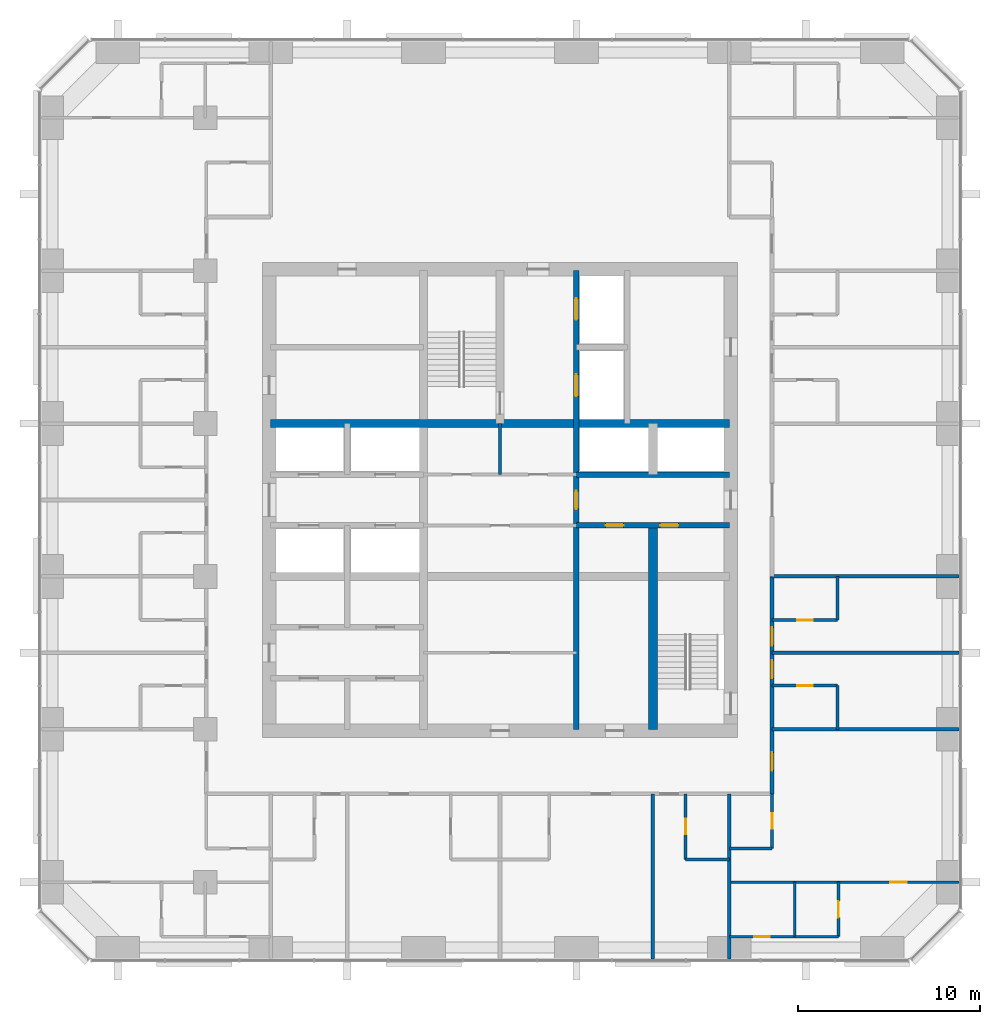
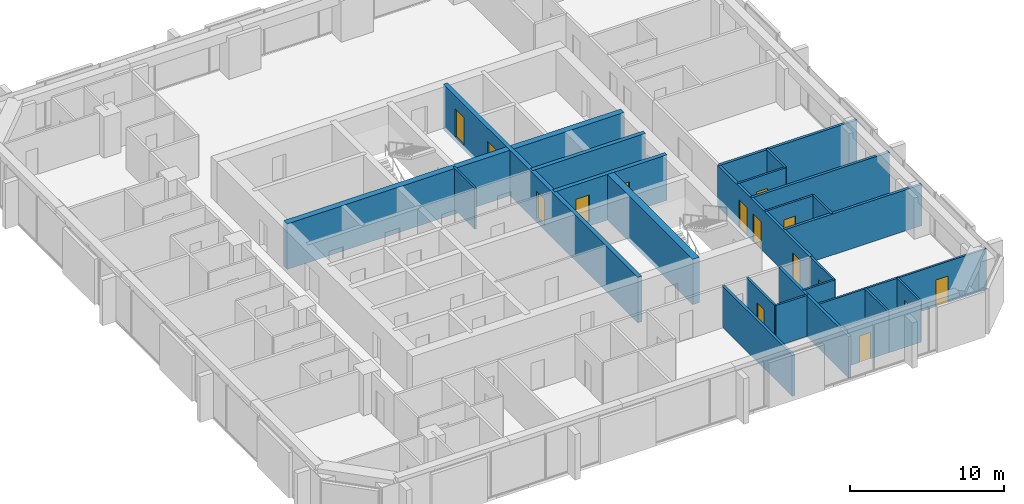
# One storey, part 10 of 13: 25 walls, 15 doors, 15 openings.
"""IFC4 building model written with IfcOpenShell, lengths in metres."""

from ifc_helpers import new_model, si_unit, direction, frame, frame_2d, origin, place, context, subcontext, project, spatial, rectangle, extrude, material, layer, layer_set, type_object, element, fill, save


model = new_model("IFC4")

# Units and contexts
model_context = context("Model", 3, precision=1e-05, world=origin(), true_north=direction((0.0, 1.0)))
body_context = subcontext(model_context, "Body", "Model", "MODEL_VIEW")
ifc_project = project(units=[si_unit("LENGTHUNIT", "METRE"), si_unit("AREAUNIT", "SQUARE_METRE"), si_unit("VOLUMEUNIT", "CUBIC_METRE"), si_unit("PLANEANGLEUNIT", "RADIAN"), si_unit("MASSUNIT", "GRAM", prefix="KILO")], contexts=[model_context])

# Site, building, storey
site_placement = place(None, origin())
site = spatial("IfcSite", under=ifc_project, at=site_placement, CompositionType="ELEMENT")
building_placement = place(site_placement, origin())
building = spatial("IfcBuilding", under=site, at=building_placement, Name="Dunama Terrace Hotel", CompositionType="ELEMENT")
storey_placement = place(building_placement, frame((0.0, 0.0, 173.39990234375)))
storey = spatial("IfcBuildingStorey", under=building, at=storey_placement, Name="L44", CompositionType="ELEMENT", Elevation=173.39990234375)

# Wall, opening, door
ifc_material_1 = material(Name="Gypsum board partition", Category="masonry")
ifc_layer_1 = layer(ifc_material_1, 0.14990234375)
ifc_layer_set_1 = layer_set([ifc_layer_1], Name="Bathroom partition 150")
wall_type_1 = type_object("IfcWallType", Name="Bathroom partition 150", PredefinedType="PARTITIONING", material=ifc_layer_set_1)
wall_1_placement = place(storey_placement, frame((39.60009765625, 9.64990234375, 0.0), z_axis=(0.0, 0.0, 1.0), x_axis=(0.0, 1.0, 0.0)))
wall_1 = element("IfcWall", 1, at=wall_1_placement, inside=storey, type_object=wall_type_1, Name="Bathroom partition 150 L44", PredefinedType="PARTITIONING", context=body_context, shape_type="SweptSolid", body=[
    extrude(rectangle(XDim=3.60009765625, YDim=0.14990234375, at=frame_2d((1.800048828125, 0.0))), origin(), (0.0, 0.0, 1.0), 3.25),
])
opening_1_placement = place(wall_1_placement, frame((1.375, 0.0, 0.0)))
opening_1 = element("IfcOpeningElement", 2, at=opening_1_placement, cuts=wall_1, Name="Opening L42-44-016", PredefinedType="OPENING", context=body_context, shape_type="SweptSolid", body=[
    extrude(rectangle(XDim=0.85009765625, YDim=2.10009765625, at=frame_2d((0.425048828125, 1.050048828125))), frame((0.0, 0.0849609375, 0.0), z_axis=(0.0, -1.0, 0.0), x_axis=(1.0, 0.0, 0.0)), (0.0, 0.0, 1.0), 0.169921875),
])
ifc_material_2 = material(Name="Timber door with steel frame", Category="steel")
door_type_1 = type_object("IfcDoorType", Name="Bathroom door 850", OperationType="SINGLE_SWING_LEFT", PredefinedType="DOOR", material=ifc_material_2)
door_1_placement = place(opening_1_placement, frame((0.85009765625, 0.0, 0.0), z_axis=(0.0, 0.0, 1.0), x_axis=(-1.0, 0.0, 0.0)))
door_1 = element("IfcDoor", 3, at=door_1_placement, inside=storey, type_object=door_type_1, Name="Door to en-suite bathroom L42-44-016, type D2", OperationType="SINGLE_SWING_LEFT", OverallHeight=2.10009765625, OverallWidth=0.85009765625, PredefinedType="DOOR", context=body_context, shape_type="SweptSolid", body=[
    extrude(rectangle(XDim=0.85009765625, YDim=2.10009765625, at=frame_2d((0.425048828125, 1.050048828125))), frame((0.0, 0.025146484375, 0.0), z_axis=(0.0, -1.0, 0.0), x_axis=(1.0, 0.0, 0.0)), (0.0, 0.0, 1.0), 0.050048828125),
])
fill(opening_1, door_1)

wall_2_placement = place(storey_placement, frame((44.35009765625, 10.25, 0.0), z_axis=(0.0, 0.0, 1.0), x_axis=(0.0, 1.0, 0.0)))
wall_2 = element("IfcWall", 4, at=wall_2_placement, inside=storey, type_object=wall_type_1, Name="Bathroom partition 150 L44", PredefinedType="PARTITIONING", context=body_context, shape_type="SweptSolid", body=[
    extrude(rectangle(XDim=3.0, YDim=0.14990234375, at=frame_2d((1.5, 0.0))), origin(), (0.0, 0.0, 1.0), 3.25),
])
opening_2_placement = place(wall_2_placement, frame((1.074951171875, 0.0, 0.0)))
opening_2 = element("IfcOpeningElement", 5, at=opening_2_placement, cuts=wall_2, Name="Opening L42-44-044", PredefinedType="OPENING", context=body_context, shape_type="SweptSolid", body=[
    extrude(rectangle(XDim=0.85009765625, YDim=2.10009765625, at=frame_2d((0.425048828125, 1.050048828125))), frame((0.0, 0.0849609375, 0.0), z_axis=(0.0, -1.0, 0.0), x_axis=(1.0, 0.0, 0.0)), (0.0, 0.0, 1.0), 0.169921875),
])
door_2_placement = place(opening_2_placement, origin())
door_2 = element("IfcDoor", 6, at=door_2_placement, inside=storey, type_object=door_type_1, Name="Door to powder room L42-44-044, type D2", OperationType="SINGLE_SWING_RIGHT", OverallHeight=2.10009765625, OverallWidth=0.85009765625, PredefinedType="DOOR", context=body_context, shape_type="SweptSolid", body=[
    extrude(rectangle(XDim=0.85009765625, YDim=2.10009765625, at=frame_2d((0.425048828125, 1.050048828125))), frame((0.0, 0.02490234375, 0.0), z_axis=(0.0, -1.0, 0.0), x_axis=(1.0, 0.0, 0.0)), (0.0, 0.0, 1.0), 0.050048828125),
])
fill(opening_2, door_2)

# Walls
for number, where, z_axis, x_axis, name in (
    (7, (47.949951171875, 16.800048828125, 0.0), (0.0, 0.0, 1.0), (0.0, 1.0, 0.0), "Bathroom partition 150 L44"),
    (8, (47.949951171875, 22.800048828125, 0.0), (0.0, 0.0, 1.0), (0.0, 1.0, 0.0), "Bathroom partition 150 L44"),
):
    element("IfcWall", number, at=place(storey_placement, frame(where, z_axis=z_axis, x_axis=x_axis)), inside=storey, type_object=wall_type_1, Name=name, PredefinedType="PARTITIONING", context=body_context, shape_type="SweptSolid", body=[
        extrude(rectangle(XDim=2.39990234375, YDim=0.14990234375, at=frame_2d((1.199951171875, 0.0))), origin(), (0.0, 0.0, 1.0), 3.25),
    ])

# Wall, opening, door
wall_3_placement = place(storey_placement, frame((42.0, 5.39990234375, 0.0), z_axis=(0.0, 0.0, 1.0), x_axis=(1.0, 0.0, 0.0)))
wall_3 = element("IfcWall", 9, at=wall_3_placement, inside=storey, type_object=wall_type_1, Name="Bathroom partition 150 L44", PredefinedType="PARTITIONING", context=body_context, shape_type="SweptSolid", body=[
    extrude(rectangle(XDim=3.60009765625, YDim=0.14990234375, at=frame_2d((1.800048828125, 0.0))), origin(), (0.0, 0.0, 1.0), 3.25),
])
opening_3_placement = place(wall_3_placement, frame((1.375, 0.0, 0.0)))
opening_3 = element("IfcOpeningElement", 10, at=opening_3_placement, cuts=wall_3, Name="Opening L42-44-046", PredefinedType="OPENING", context=body_context, shape_type="SweptSolid", body=[
    extrude(rectangle(XDim=0.85009765625, YDim=2.10009765625, at=frame_2d((0.425048828125, 1.050048828125))), frame((0.0, 0.0849609375, 0.0), z_axis=(0.0, -1.0, 0.0), x_axis=(1.0, 0.0, 0.0)), (0.0, 0.0, 1.0), 0.169921875),
])
door_3_placement = place(opening_3_placement, origin())
door_3 = element("IfcDoor", 11, at=door_3_placement, inside=storey, type_object=door_type_1, Name="Door to en-suite bathroom L42-44-046, type D2", OperationType="SINGLE_SWING_LEFT", OverallHeight=2.10009765625, OverallWidth=0.85009765625, PredefinedType="DOOR", context=body_context, shape_type="SweptSolid", body=[
    extrude(rectangle(XDim=0.85009765625, YDim=2.10009765625, at=frame_2d((0.425048828125, 1.050048828125))), frame((0.0, 0.02490234375, 0.0), z_axis=(0.0, -1.0, 0.0), x_axis=(1.0, 0.0, 0.0)), (0.0, 0.0, 1.0), 0.050048828125),
])
fill(opening_3, door_3)

# Walls
wall_4_placement = place(storey_placement, frame((39.60009765625, 9.64990234375, 0.0), z_axis=(0.0, 0.0, 1.0), x_axis=(1.0, 0.0, 0.0)))
element("IfcWall", 12, at=wall_4_placement, inside=storey, type_object=wall_type_1, Name="Bathroom partition 150 L44", PredefinedType="PARTITIONING", context=body_context, shape_type="SweptSolid", body=[
    extrude(rectangle(XDim=2.39990234375, YDim=0.14990234375, at=frame_2d((1.199951171875, 0.0))), origin(), (0.0, 0.0, 1.0), 3.25),
])
wall_5_placement = place(storey_placement, frame((42.0, 10.25, 0.0), z_axis=(0.0, 0.0, 1.0), x_axis=(1.0, 0.0, 0.0)))
element("IfcWall", 13, at=wall_5_placement, inside=storey, type_object=wall_type_1, Name="Bathroom partition 150 L44", PredefinedType="PARTITIONING", context=body_context, shape_type="SweptSolid", body=[
    extrude(rectangle(XDim=2.35009765625, YDim=0.14990234375, at=frame_2d((1.175048828125, 0.0))), origin(), (0.0, 0.0, 1.0), 3.25),
])

# Wall, opening, door
wall_6_placement = place(storey_placement, frame((44.35009765625, 19.199951171875, 0.0), z_axis=(0.0, 0.0, 1.0), x_axis=(1.0, 0.0, 0.0)))
wall_6 = element("IfcWall", 14, at=wall_6_placement, inside=storey, type_object=wall_type_1, Name="Bathroom partition 150 L44", PredefinedType="PARTITIONING", context=body_context, shape_type="SweptSolid", body=[
    extrude(rectangle(XDim=3.599853515625, YDim=0.14990234375, at=frame_2d((1.7998046875, 0.0))), origin(), (0.0, 0.0, 1.0), 3.25),
])
opening_4_placement = place(wall_6_placement, frame((1.375, 0.0, 0.0)))
opening_4 = element("IfcOpeningElement", 15, at=opening_4_placement, cuts=wall_6, Name="Opening L42-44-018", PredefinedType="OPENING", context=body_context, shape_type="SweptSolid", body=[
    extrude(rectangle(XDim=0.85009765625, YDim=2.10009765625, at=frame_2d((0.425048828125, 1.050048828125))), frame((0.0, 0.0849609375, 0.0), z_axis=(0.0, -1.0, 0.0), x_axis=(1.0, 0.0, 0.0)), (0.0, 0.0, 1.0), 0.169921875),
])
door_4_placement = place(opening_4_placement, frame((0.85009765625, 0.0, 0.0), z_axis=(0.0, 0.0, 1.0), x_axis=(-1.0, 0.0, 0.0)))
door_4 = element("IfcDoor", 16, at=door_4_placement, inside=storey, type_object=door_type_1, Name="Door to en-suite bathroom L42-44-018, type D2", OperationType="SINGLE_SWING_RIGHT", OverallHeight=2.10009765625, OverallWidth=0.85009765625, PredefinedType="DOOR", context=body_context, shape_type="SweptSolid", body=[
    extrude(rectangle(XDim=0.85009765625, YDim=2.10009765625, at=frame_2d((0.425048828125, 1.050048828125))), frame((0.0, 0.025146484375, 0.0), z_axis=(0.0, -1.0, 0.0), x_axis=(1.0, 0.0, 0.0)), (0.0, 0.0, 1.0), 0.050048828125),
])
fill(opening_4, door_4)

wall_7_placement = place(storey_placement, frame((44.35009765625, 22.800048828125, 0.0), z_axis=(0.0, 0.0, 1.0), x_axis=(1.0, 0.0, 0.0)))
wall_7 = element("IfcWall", 17, at=wall_7_placement, inside=storey, type_object=wall_type_1, Name="Bathroom partition 150 L44", PredefinedType="PARTITIONING", context=body_context, shape_type="SweptSolid", body=[
    extrude(rectangle(XDim=3.599853515625, YDim=0.14990234375, at=frame_2d((1.7998046875, 0.0))), origin(), (0.0, 0.0, 1.0), 3.25),
])
opening_5_placement = place(wall_7_placement, frame((1.375, 0.0, 0.0)))
opening_5 = element("IfcOpeningElement", 18, at=opening_5_placement, cuts=wall_7, Name="Opening L42-44-020", PredefinedType="OPENING", context=body_context, shape_type="SweptSolid", body=[
    extrude(rectangle(XDim=0.85009765625, YDim=2.10009765625, at=frame_2d((0.425048828125, 1.050048828125))), frame((0.0, 0.0849609375, 0.0), z_axis=(0.0, -1.0, 0.0), x_axis=(1.0, 0.0, 0.0)), (0.0, 0.0, 1.0), 0.169921875),
])
door_5_placement = place(opening_5_placement, origin())
door_5 = element("IfcDoor", 19, at=door_5_placement, inside=storey, type_object=door_type_1, Name="Door to en-suite bathroom L42-44-020, type D2", OperationType="SINGLE_SWING_LEFT", OverallHeight=2.10009765625, OverallWidth=0.85009765625, PredefinedType="DOOR", context=body_context, shape_type="SweptSolid", body=[
    extrude(rectangle(XDim=0.85009765625, YDim=2.10009765625, at=frame_2d((0.425048828125, 1.050048828125))), frame((0.0, 0.02490234375, 0.0), z_axis=(0.0, -1.0, 0.0), x_axis=(1.0, 0.0, 0.0)), (0.0, 0.0, 1.0), 0.050048828125),
])
fill(opening_5, door_5)

# Wall, openings, doors
ifc_material_3 = material(Name="Concrete C50/60", Category="concrete")
ifc_layer_2 = layer(ifc_material_3, 0.300048828125)
ifc_layer_set_2 = layer_set([ifc_layer_2], Name="Core inner wall 300")
wall_type_2 = type_object("IfcWallType", Name="Core inner wall 300", PredefinedType="SHEAR", material=ifc_layer_set_2)
wall_8_placement = place(storey_placement, frame((33.60009765625, 16.800048828125, -0.349853515625), z_axis=(0.0, 0.0, 1.0), x_axis=(0.0, 1.0, 0.0)))
wall_8 = element("IfcWall", 20, at=wall_8_placement, inside=storey, type_object=wall_type_2, Name="Core inner wall 300 L44", PredefinedType="SHEAR", context=body_context, shape_type="SweptSolid", body=[
    extrude(rectangle(XDim=25.199951171875, YDim=0.300048828125, at=frame_2d((12.60009765625, 0.0))), origin(), (0.0, 0.0, 1.0), 3.599853515625),
])
opening_6_placement = place(wall_8_placement, frame((22.5, 0.0, 0.35009765625)))
opening_6 = element("IfcOpeningElement", 21, at=opening_6_placement, cuts=wall_8, Name="Opening L42-44-007", PredefinedType="OPENING", context=body_context, shape_type="SweptSolid", body=[
    extrude(rectangle(XDim=1.199951171875, YDim=2.199951171875, at=frame_2d((0.60009765625, 1.10009765625))), frame((0.0, 0.159912109375, 0.0), z_axis=(0.0, -1.0, 0.0), x_axis=(1.0, 0.0, 0.0)), (0.0, 0.0, 1.0), 0.320068359375),
])
opening_7_placement = place(wall_8_placement, frame((18.300048828125, 0.0, 0.35009765625)))
opening_7 = element("IfcOpeningElement", 22, at=opening_7_placement, cuts=wall_8, Name="Opening L42-44-008", PredefinedType="OPENING", context=body_context, shape_type="SweptSolid", body=[
    extrude(rectangle(XDim=1.199951171875, YDim=2.199951171875, at=frame_2d((0.60009765625, 1.10009765625))), frame((0.0, 0.159912109375, 0.0), z_axis=(0.0, -1.0, 0.0), x_axis=(1.0, 0.0, 0.0)), (0.0, 0.0, 1.0), 0.320068359375),
])
opening_8_placement = place(wall_8_placement, frame((12.10009765625, 0.0, 0.35009765625)))
opening_8 = element("IfcOpeningElement", 23, at=opening_8_placement, cuts=wall_8, Name="Opening L42-44-066", PredefinedType="OPENING", context=body_context, shape_type="SweptSolid", body=[
    extrude(rectangle(XDim=1.0, YDim=2.10009765625, at=frame_2d((0.5, 1.050048828125))), frame((0.0, 0.159912109375, 0.0), z_axis=(0.0, -1.0, 0.0), x_axis=(1.0, 0.0, 0.0)), (0.0, 0.0, 1.0), 0.320068359375),
])
ifc_material_4 = material(Name="Stainless steel lift door", Category="steel")
door_type_2 = type_object("IfcDoorType", Name="Firefighting lift landing door 1200", OperationType="DOUBLE_DOOR_SLIDING", PredefinedType="DOOR", material=ifc_material_4)
door_6_placement = place(opening_6_placement, origin())
door_6 = element("IfcDoor", 24, at=door_6_placement, inside=storey, type_object=door_type_2, Name="Landing door FL1 L42-44-007, type LD2", OperationType="DOUBLE_DOOR_SLIDING", OverallHeight=2.199951171875, OverallWidth=1.199951171875, PredefinedType="DOOR", context=body_context, shape_type="SweptSolid", body=[
    extrude(rectangle(XDim=1.199951171875, YDim=2.199951171875, at=frame_2d((0.60009765625, 1.10009765625))), frame((0.0, 0.02490234375, 0.0), z_axis=(0.0, -1.0, 0.0), x_axis=(1.0, 0.0, 0.0)), (0.0, 0.0, 1.0), 0.050048828125),
])
fill(opening_6, door_6)
door_7_placement = place(opening_7_placement, origin())
door_7 = element("IfcDoor", 25, at=door_7_placement, inside=storey, type_object=door_type_2, Name="Landing door FL2 L42-44-008, type LD2", OperationType="DOUBLE_DOOR_SLIDING", OverallHeight=2.199951171875, OverallWidth=1.199951171875, PredefinedType="DOOR", context=body_context, shape_type="SweptSolid", body=[
    extrude(rectangle(XDim=1.199951171875, YDim=2.199951171875, at=frame_2d((0.60009765625, 1.10009765625))), frame((0.0, 0.02490234375, 0.0), z_axis=(0.0, -1.0, 0.0), x_axis=(1.0, 0.0, 0.0)), (0.0, 0.0, 1.0), 0.050048828125),
])
fill(opening_7, door_7)
ifc_material_5 = material(Name="Timber door with steel frame", Category="steel")
door_type_3 = type_object("IfcDoorType", Name="Service door 1000", OperationType="SINGLE_SWING_LEFT", PredefinedType="DOOR", material=ifc_material_5)
door_8_placement = place(opening_8_placement, origin())
door_8 = element("IfcDoor", 26, at=door_8_placement, inside=storey, type_object=door_type_3, Name="Door to staff passage L42-44-066, type D7", OperationType="SINGLE_SWING_LEFT", OverallHeight=2.10009765625, OverallWidth=1.0, PredefinedType="DOOR", context=body_context, shape_type="SweptSolid", body=[
    extrude(rectangle(XDim=1.0, YDim=2.10009765625, at=frame_2d((0.5, 1.050048828125))), frame((0.0, 0.02490234375, 0.0), z_axis=(0.0, -1.0, 0.0), x_axis=(1.0, 0.0, 0.0)), (0.0, 0.0, 1.0), 0.050048828125),
])
fill(opening_8, door_8)

wall_9_placement = place(storey_placement, frame((33.60009765625, 28.0, -0.349853515625), z_axis=(0.0, 0.0, 1.0), x_axis=(1.0, 0.0, 0.0)))
wall_9 = element("IfcWall", 27, at=wall_9_placement, inside=storey, type_object=wall_type_2, Name="Core inner wall 300 L44", PredefinedType="SHEAR", context=body_context, shape_type="SweptSolid", body=[
    extrude(rectangle(XDim=8.39990234375, YDim=0.300048828125, at=frame_2d((4.199951171875, 0.0))), origin(), (0.0, 0.0, 1.0), 3.599853515625),
])
opening_9_placement = place(wall_9_placement, frame((1.60009765625, 0.0, 0.35009765625)))
opening_9 = element("IfcOpeningElement", 28, at=opening_9_placement, cuts=wall_9, Name="Opening L42-44-070", PredefinedType="OPENING", context=body_context, shape_type="SweptSolid", body=[
    extrude(rectangle(XDim=1.0, YDim=2.10009765625, at=frame_2d((0.5, 1.050048828125))), frame((0.0, 0.159912109375, 0.0), z_axis=(0.0, -1.0, 0.0), x_axis=(1.0, 0.0, 0.0)), (0.0, 0.0, 1.0), 0.320068359375),
])
opening_10_placement = place(wall_9_placement, frame((4.60009765625, 0.0, 0.35009765625)))
opening_10 = element("IfcOpeningElement", 29, at=opening_10_placement, cuts=wall_9, Name="Opening L42-44-071", PredefinedType="OPENING", context=body_context, shape_type="SweptSolid", body=[
    extrude(rectangle(XDim=1.0, YDim=2.10009765625, at=frame_2d((0.5, 1.050048828125))), frame((0.0, 0.159912109375, 0.0), z_axis=(0.0, -1.0, 0.0), x_axis=(1.0, 0.0, 0.0)), (0.0, 0.0, 1.0), 0.320068359375),
])
door_9_placement = place(opening_9_placement, frame((1.0, 0.0, 0.0), z_axis=(0.0, 0.0, 1.0), x_axis=(-1.0, 0.0, 0.0)))
door_9 = element("IfcDoor", 30, at=door_9_placement, inside=storey, type_object=door_type_3, Name="Door to service riser L42-44-070, type D7", OperationType="SINGLE_SWING_LEFT", OverallHeight=2.10009765625, OverallWidth=1.0, PredefinedType="DOOR", context=body_context, shape_type="SweptSolid", body=[
    extrude(rectangle(XDim=1.0, YDim=2.10009765625, at=frame_2d((0.5, 1.050048828125))), frame((0.0, 0.025146484375, 0.0), z_axis=(0.0, -1.0, 0.0), x_axis=(1.0, 0.0, 0.0)), (0.0, 0.0, 1.0), 0.050048828125),
])
fill(opening_9, door_9)
door_10_placement = place(opening_10_placement, frame((1.0, 0.0, 0.0), z_axis=(0.0, 0.0, 1.0), x_axis=(-1.0, 0.0, 0.0)))
door_10 = element("IfcDoor", 31, at=door_10_placement, inside=storey, type_object=door_type_3, Name="Door to housekeeping store L42-44-071, type D7", OperationType="SINGLE_SWING_RIGHT", OverallHeight=2.10009765625, OverallWidth=1.0, PredefinedType="DOOR", context=body_context, shape_type="SweptSolid", body=[
    extrude(rectangle(XDim=1.0, YDim=2.10009765625, at=frame_2d((0.5, 1.050048828125))), frame((0.0, 0.025146484375, 0.0), z_axis=(0.0, -1.0, 0.0), x_axis=(1.0, 0.0, 0.0)), (0.0, 0.0, 1.0), 0.050048828125),
])
fill(opening_10, door_10)

# Walls
wall_10_placement = place(storey_placement, frame((33.60009765625, 30.800048828125, -0.349853515625), z_axis=(0.0, 0.0, 1.0), x_axis=(1.0, 0.0, 0.0)))
element("IfcWall", 32, at=wall_10_placement, inside=storey, type_object=wall_type_2, Name="Core inner wall 300 L44", PredefinedType="SHEAR", context=body_context, shape_type="SweptSolid", body=[
    extrude(rectangle(XDim=8.39990234375, YDim=0.300048828125, at=frame_2d((4.199951171875, 0.0))), origin(), (0.0, 0.0, 1.0), 3.599853515625),
])
ifc_material_6 = material(Name="Concrete C50/60", Category="concrete")
ifc_layer_3 = layer(ifc_material_6, 0.449951171875)
ifc_layer_set_3 = layer_set([ifc_layer_3], Name="Core inner wall 450")
wall_type_3 = type_object("IfcWallType", Name="Core inner wall 450", PredefinedType="SHEAR", material=ifc_layer_set_3)
wall_11_placement = place(storey_placement, frame((16.800048828125, 33.60009765625, -0.349853515625), z_axis=(0.0, 0.0, 1.0), x_axis=(1.0, 0.0, 0.0)))
element("IfcWall", 33, at=wall_11_placement, inside=storey, type_object=wall_type_3, Name="Core inner wall 450 L44", PredefinedType="SHEAR", context=body_context, shape_type="SweptSolid", body=[
    extrude(rectangle(XDim=25.199951171875, YDim=0.449951171875, at=frame_2d((12.60009765625, 0.0))), origin(), (0.0, 0.0, 1.0), 3.599853515625),
])
ifc_material_7 = material(Name="Concrete C50/60", Category="concrete")
ifc_layer_4 = layer(ifc_material_7, 0.5)
ifc_layer_set_4 = layer_set([ifc_layer_4], Name="Core inner wall 500")
wall_type_4 = type_object("IfcWallType", Name="Core inner wall 500", PredefinedType="SHEAR", material=ifc_layer_set_4)
wall_12_placement = place(storey_placement, frame((37.800048828125, 16.800048828125, -0.349853515625), z_axis=(0.0, 0.0, 1.0), x_axis=(0.0, 1.0, 0.0)))
element("IfcWall", 34, at=wall_12_placement, inside=storey, type_object=wall_type_4, Name="Core inner wall 500 L44", PredefinedType="SHEAR", context=body_context, shape_type="SweptSolid", body=[
    extrude(rectangle(XDim=11.199951171875, YDim=0.5, at=frame_2d((5.60009765625, 0.0))), origin(), (0.0, 0.0, 1.0), 3.599853515625),
])

# Wall, openings, doors
ifc_material_8 = material(Name="Concrete blockwork", Category="masonry")
ifc_layer_5 = layer(ifc_material_8, 0.199951171875)
ifc_layer_set_5 = layer_set([ifc_layer_5], Name="Corridor partition 200")
wall_type_5 = type_object("IfcWallType", Name="Corridor partition 200", PredefinedType="PARTITIONING", material=ifc_layer_set_5)
wall_13_placement = place(storey_placement, frame((44.35009765625, 25.199951171875, 0.0), z_axis=(0.0, 0.0, 1.0), x_axis=(0.0, -1.0, 0.0)))
wall_13 = element("IfcWall", 35, at=wall_13_placement, inside=storey, type_object=wall_type_5, Name="Corridor partition 200 L44", PredefinedType="PARTITIONING", context=body_context, shape_type="SweptSolid", body=[
    extrude(rectangle(XDim=11.949951171875, YDim=0.199951171875, at=frame_2d((5.97509765625, 0.0))), origin(), (0.0, 0.0, 1.0), 3.25),
])
opening_11_placement = place(wall_13_placement, frame((4.60009765625, 0.0, 0.0)))
opening_11 = element("IfcOpeningElement", 36, at=opening_11_placement, cuts=wall_13, Name="Opening L42-44-017", PredefinedType="OPENING", context=body_context, shape_type="SweptSolid", body=[
    extrude(rectangle(XDim=1.0, YDim=2.199951171875, at=frame_2d((0.5, 1.10009765625))), frame((0.0, 0.10986328125, 0.0), z_axis=(0.0, -1.0, 0.0), x_axis=(1.0, 0.0, 0.0)), (0.0, 0.0, 1.0), 0.219970703125),
])
opening_12_placement = place(wall_13_placement, frame((2.800048828125, 0.0, 0.0)))
opening_12 = element("IfcOpeningElement", 37, at=opening_12_placement, cuts=wall_13, Name="Opening L42-44-019", PredefinedType="OPENING", context=body_context, shape_type="SweptSolid", body=[
    extrude(rectangle(XDim=1.0, YDim=2.199951171875, at=frame_2d((0.5, 1.10009765625))), frame((0.0, 0.10986328125, 0.0), z_axis=(0.0, -1.0, 0.0), x_axis=(1.0, 0.0, 0.0)), (0.0, 0.0, 1.0), 0.219970703125),
])
opening_13_placement = place(wall_13_placement, frame((9.675048828125, 0.0, 0.0)))
opening_13 = element("IfcOpeningElement", 38, at=opening_13_placement, cuts=wall_13, Name="Opening L42-44-043", PredefinedType="OPENING", context=body_context, shape_type="SweptSolid", body=[
    extrude(rectangle(XDim=1.0, YDim=2.199951171875, at=frame_2d((0.5, 1.10009765625))), frame((0.0, 0.10986328125, 0.0), z_axis=(0.0, -1.0, 0.0), x_axis=(1.0, 0.0, 0.0)), (0.0, 0.0, 1.0), 0.219970703125),
])
ifc_material_9 = material(Name="Timber door with steel frame", Category="steel")
door_type_4 = type_object("IfcDoorType", Name="Guest room door 1000", OperationType="SINGLE_SWING_LEFT", PredefinedType="DOOR", material=ifc_material_9)
door_11_placement = place(opening_11_placement, origin())
door_11 = element("IfcDoor", 39, at=door_11_placement, inside=storey, type_object=door_type_4, Name="Door to club room L42-44-017, type D1", OperationType="SINGLE_SWING_LEFT", OverallHeight=2.199951171875, OverallWidth=1.0, PredefinedType="DOOR", context=body_context, shape_type="SweptSolid", body=[
    extrude(rectangle(XDim=1.0, YDim=2.199951171875, at=frame_2d((0.5, 1.10009765625))), frame((0.0, 0.02490234375, 0.0), z_axis=(0.0, -1.0, 0.0), x_axis=(1.0, 0.0, 0.0)), (0.0, 0.0, 1.0), 0.050048828125),
])
fill(opening_11, door_11)
door_12_placement = place(opening_12_placement, origin())
door_12 = element("IfcDoor", 40, at=door_12_placement, inside=storey, type_object=door_type_4, Name="Door to club room L42-44-019, type D1", OperationType="SINGLE_SWING_RIGHT", OverallHeight=2.199951171875, OverallWidth=1.0, PredefinedType="DOOR", context=body_context, shape_type="SweptSolid", body=[
    extrude(rectangle(XDim=1.0, YDim=2.199951171875, at=frame_2d((0.5, 1.10009765625))), frame((0.0, 0.02490234375, 0.0), z_axis=(0.0, -1.0, 0.0), x_axis=(1.0, 0.0, 0.0)), (0.0, 0.0, 1.0), 0.050048828125),
])
fill(opening_12, door_12)
door_13_placement = place(opening_13_placement, origin())
door_13 = element("IfcDoor", 41, at=door_13_placement, inside=storey, type_object=door_type_4, Name="Door to corner suite living room L42-44-043, type D1", OperationType="SINGLE_SWING_RIGHT", OverallHeight=2.199951171875, OverallWidth=1.0, PredefinedType="DOOR", context=body_context, shape_type="SweptSolid", body=[
    extrude(rectangle(XDim=1.0, YDim=2.199951171875, at=frame_2d((0.5, 1.10009765625))), frame((0.0, 0.02490234375, 0.0), z_axis=(0.0, -1.0, 0.0), x_axis=(1.0, 0.0, 0.0)), (0.0, 0.0, 1.0), 0.050048828125),
])
fill(opening_13, door_13)

# Walls
ifc_material_10 = material(Name="Concrete blockwork", Category="masonry")
ifc_layer_6 = layer(ifc_material_10, 0.199951171875)
ifc_layer_set_6 = layer_set([ifc_layer_6], Name="Party wall 200")
wall_type_6 = type_object("IfcWallType", Name="Party wall 200", PredefinedType="PARTITIONING", material=ifc_layer_set_6)
for number, where, z_axis, x_axis, name in (
    (42, (37.800048828125, 4.181884765625, 0.0), (0.0, 0.0, 1.0), (0.0, 1.0, 0.0), "Party wall 200 L44"),
    (43, (42.0, 4.181884765625, 0.0), (0.0, 0.0, 1.0), (0.0, 1.0, 0.0), "Party wall 200 L44"),
):
    element("IfcWall", number, at=place(storey_placement, frame(where, z_axis=z_axis, x_axis=x_axis)), inside=storey, type_object=wall_type_6, Name=name, PredefinedType="PARTITIONING", context=body_context, shape_type="SweptSolid", body=[
        extrude(rectangle(XDim=9.068115234375, YDim=0.199951171875, at=frame_2d((4.5341796875, 0.0))), origin(), (0.0, 0.0, 1.0), 3.25),
    ])
for number, where, z_axis, x_axis, name in (
    (44, (44.35009765625, 16.800048828125, 0.0), (0.0, 0.0, 1.0), (1.0, 0.0, 0.0), "Party wall 200 L44"),
    (45, (44.35009765625, 21.0, 0.0), (0.0, 0.0, 1.0), (1.0, 0.0, 0.0), "Party wall 200 L44"),
    (46, (44.35009765625, 25.199951171875, 0.0), (0.0, 0.0, 1.0), (1.0, 0.0, 0.0), "Party wall 200 L44"),
):
    element("IfcWall", number, at=place(storey_placement, frame(where, z_axis=z_axis, x_axis=x_axis)), inside=storey, type_object=wall_type_6, Name=name, PredefinedType="PARTITIONING", context=body_context, shape_type="SweptSolid", body=[
        extrude(rectangle(XDim=10.267822265625, YDim=0.199951171875, at=frame_2d((5.1337890625, 0.0))), origin(), (0.0, 0.0, 1.0), 3.25),
    ])
ifc_material_11 = material(Name="Gypsum board partition", Category="masonry")
ifc_layer_7 = layer(ifc_material_11, 0.14990234375)
ifc_layer_set_7 = layer_set([ifc_layer_7], Name="Room partition 150")
wall_type_7 = type_object("IfcWallType", Name="Room partition 150", PredefinedType="PARTITIONING", material=ifc_layer_set_7)
wall_14_placement = place(storey_placement, frame((29.39990234375, 30.800048828125, 0.0), z_axis=(0.0, 0.0, 1.0), x_axis=(0.0, 1.0, 0.0)))
element("IfcWall", 47, at=wall_14_placement, inside=storey, type_object=wall_type_7, Name="Room partition 150 L44", PredefinedType="PARTITIONING", context=body_context, shape_type="SweptSolid", body=[
    extrude(rectangle(XDim=2.800048828125, YDim=0.14990234375, at=frame_2d((1.39990234375, 0.0))), origin(), (0.0, 0.0, 1.0), 3.25),
])
wall_15_placement = place(storey_placement, frame((45.60009765625, 5.39990234375, 0.0), z_axis=(0.0, 0.0, 1.0), x_axis=(0.0, 1.0, 0.0)))
element("IfcWall", 48, at=wall_15_placement, inside=storey, type_object=wall_type_7, Name="Room partition 150 L44", PredefinedType="PARTITIONING", context=body_context, shape_type="SweptSolid", body=[
    extrude(rectangle(XDim=3.0, YDim=0.14990234375, at=frame_2d((1.5, 0.0))), origin(), (0.0, 0.0, 1.0), 3.25),
])

# Wall, opening, door
wall_16_placement = place(storey_placement, frame((48.0, 5.39990234375, 0.0), z_axis=(0.0, 0.0, 1.0), x_axis=(0.0, 1.0, 0.0)))
wall_16 = element("IfcWall", 49, at=wall_16_placement, inside=storey, type_object=wall_type_7, Name="Room partition 150 L44", PredefinedType="PARTITIONING", context=body_context, shape_type="SweptSolid", body=[
    extrude(rectangle(XDim=3.0, YDim=0.14990234375, at=frame_2d((1.5, 0.0))), origin(), (0.0, 0.0, 1.0), 3.25),
])
opening_14_placement = place(wall_16_placement, frame((1.050048828125, 0.0, 0.0)))
opening_14 = element("IfcOpeningElement", 50, at=opening_14_placement, cuts=wall_16, Name="Opening L42-44-047", PredefinedType="OPENING", context=body_context, shape_type="SweptSolid", body=[
    extrude(rectangle(XDim=0.89990234375, YDim=2.10009765625, at=frame_2d((0.449951171875, 1.050048828125))), frame((0.0, 0.0849609375, 0.0), z_axis=(0.0, -1.0, 0.0), x_axis=(1.0, 0.0, 0.0)), (0.0, 0.0, 1.0), 0.169921875),
])
ifc_material_12 = material(Name="Timber door with steel frame", Category="steel")
door_type_5 = type_object("IfcDoorType", Name="Suite internal door 900", OperationType="SINGLE_SWING_LEFT", PredefinedType="DOOR", material=ifc_material_12)
door_14_placement = place(opening_14_placement, origin())
door_14 = element("IfcDoor", 51, at=door_14_placement, inside=storey, type_object=door_type_5, Name="Door to dressing room L42-44-047, type D16", OperationType="SINGLE_SWING_LEFT", OverallHeight=2.10009765625, OverallWidth=0.89990234375, PredefinedType="DOOR", context=body_context, shape_type="SweptSolid", body=[
    extrude(rectangle(XDim=0.89990234375, YDim=2.10009765625, at=frame_2d((0.449951171875, 1.050048828125))), frame((0.0, 0.02490234375, 0.0), z_axis=(0.0, -1.0, 0.0), x_axis=(1.0, 0.0, 0.0)), (0.0, 0.0, 1.0), 0.050048828125),
])
fill(opening_14, door_14)

# Wall
wall_17_placement = place(storey_placement, frame((45.60009765625, 5.39990234375, 0.0), z_axis=(0.0, 0.0, 1.0), x_axis=(1.0, 0.0, 0.0)))
element("IfcWall", 52, at=wall_17_placement, inside=storey, type_object=wall_type_7, Name="Room partition 150 L44", PredefinedType="PARTITIONING", context=body_context, shape_type="SweptSolid", body=[
    extrude(rectangle(XDim=2.39990234375, YDim=0.14990234375, at=frame_2d((1.199951171875, 0.0))), origin(), (0.0, 0.0, 1.0), 3.25),
])

# Wall, opening, door
wall_18_placement = place(storey_placement, frame((42.0, 8.39990234375, 0.0), z_axis=(0.0, 0.0, 1.0), x_axis=(1.0, 0.0, 0.0)))
wall_18 = element("IfcWall", 53, at=wall_18_placement, inside=storey, type_object=wall_type_7, Name="Room partition 150 L44", PredefinedType="PARTITIONING", context=body_context, shape_type="SweptSolid", body=[
    extrude(rectangle(XDim=12.617919921875, YDim=0.14990234375, at=frame_2d((6.30908203125, 0.0))), origin(), (0.0, 0.0, 1.0), 3.25),
])
opening_15_placement = place(wall_18_placement, frame((8.85009765625, 0.0, 0.0)))
opening_15 = element("IfcOpeningElement", 54, at=opening_15_placement, cuts=wall_18, Name="Opening L42-44-045", PredefinedType="OPENING", context=body_context, shape_type="SweptSolid", body=[
    extrude(rectangle(XDim=0.89990234375, YDim=2.10009765625, at=frame_2d((0.449951171875, 1.050048828125))), frame((0.0, 0.0849609375, 0.0), z_axis=(0.0, -1.0, 0.0), x_axis=(1.0, 0.0, 0.0)), (0.0, 0.0, 1.0), 0.169921875),
])
door_15_placement = place(opening_15_placement, frame((0.89990234375, 0.0, 0.0), z_axis=(0.0, 0.0, 1.0), x_axis=(-1.0, 0.0, 0.0)))
door_15 = element("IfcDoor", 55, at=door_15_placement, inside=storey, type_object=door_type_5, Name="Door to corner suite bedroom L42-44-045, type D16", OperationType="SINGLE_SWING_LEFT", OverallHeight=2.10009765625, OverallWidth=0.89990234375, PredefinedType="DOOR", context=body_context, shape_type="SweptSolid", body=[
    extrude(rectangle(XDim=0.89990234375, YDim=2.10009765625, at=frame_2d((0.449951171875, 1.050048828125))), frame((0.0, 0.025146484375, 0.0), z_axis=(0.0, -1.0, 0.0), x_axis=(1.0, 0.0, 0.0)), (0.0, 0.0, 1.0), 0.050048828125),
])
fill(opening_15, door_15)

save(model, "model.ifc")
